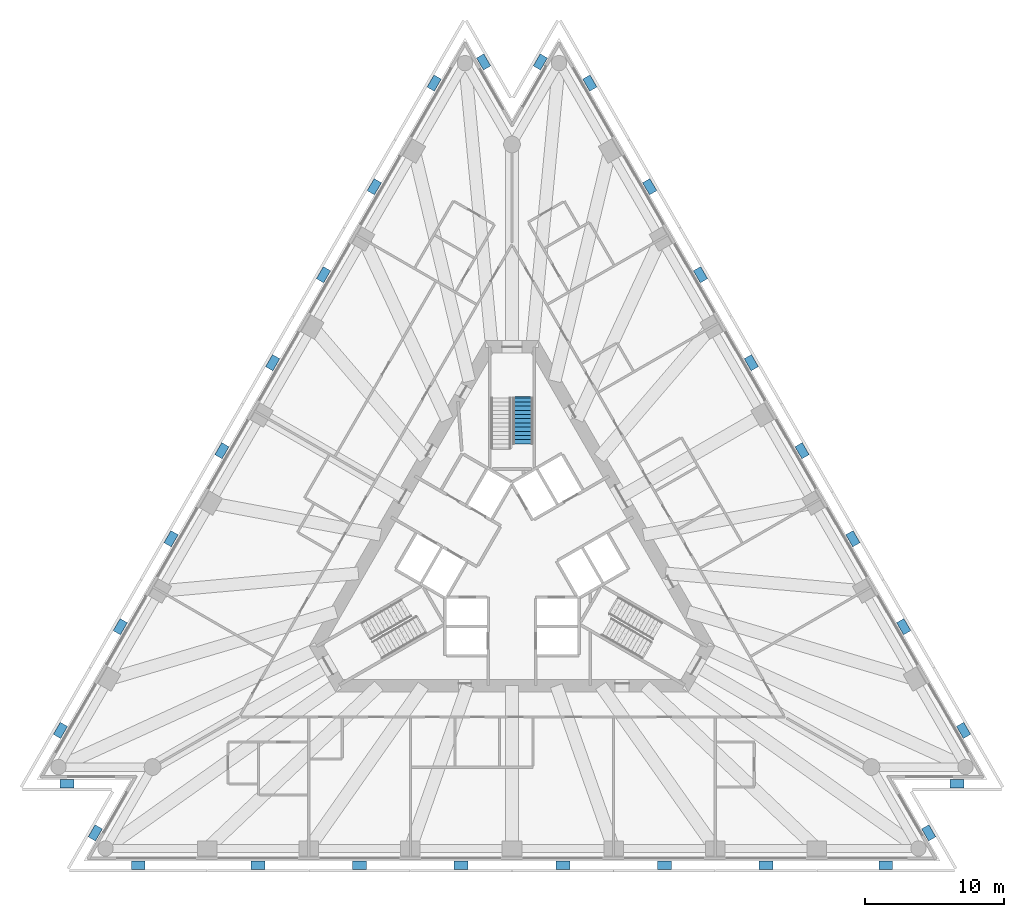
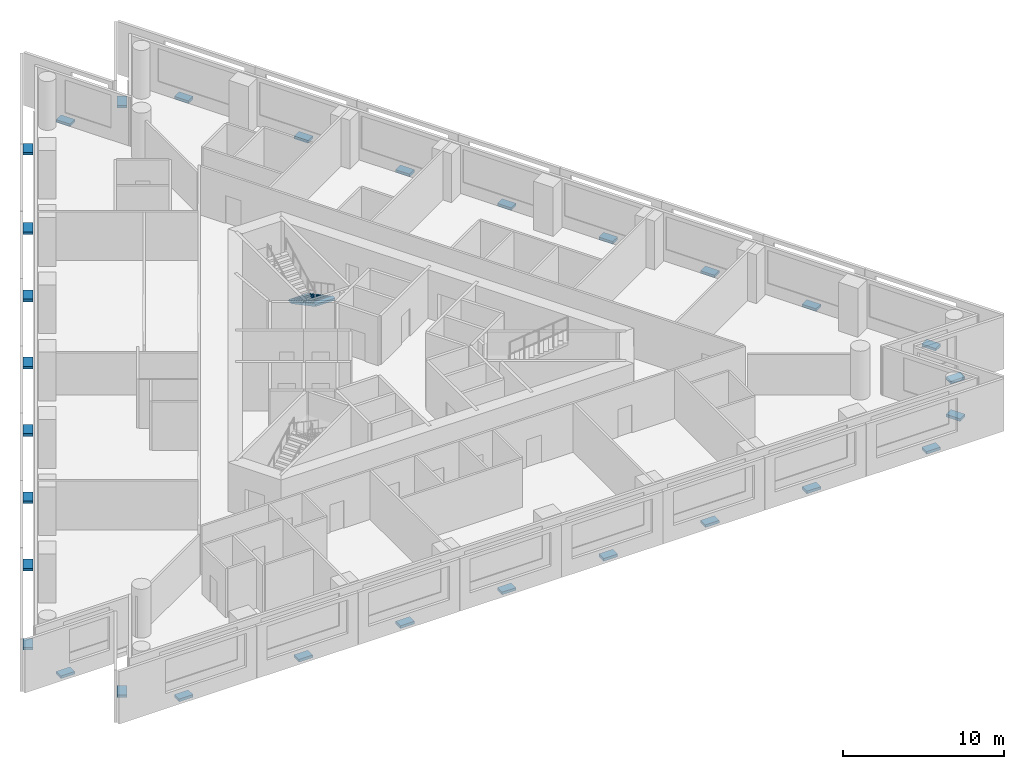
# One storey, part 9 of 11: 30 discrete accessories, 1 stair flight, 1 element without a shape of its own.
"""IFC4 building model written with IfcOpenShell, lengths in metres."""

from ifc_helpers import new_model, si_unit, direction, frame, origin, origin_2d, place, context, subcontext, project, spatial, polyline, rectangle, outline, extrude, material, type_object, element, aggregate, save


model = new_model("IFC4")

# Units and contexts
model_context = context("Model", 3, precision=1e-05, world=origin(), true_north=direction((0.0, 1.0)))
body_context = subcontext(model_context, "Body", "Model", "MODEL_VIEW")
ifc_project = project(units=[si_unit("LENGTHUNIT", "METRE"), si_unit("AREAUNIT", "SQUARE_METRE"), si_unit("VOLUMEUNIT", "CUBIC_METRE"), si_unit("PLANEANGLEUNIT", "RADIAN"), si_unit("MASSUNIT", "GRAM", prefix="KILO")], contexts=[model_context])

# Site, building, storey
site_placement = place(None, origin())
site = spatial("IfcSite", under=ifc_project, at=site_placement, CompositionType="ELEMENT")
building_placement = place(site_placement, origin())
building = spatial("IfcBuilding", under=site, at=building_placement, Name="Triada Interchange Tower", CompositionType="ELEMENT")
storey_placement = place(building_placement, frame((0.0, 0.0, 75.300048828125)))
storey = spatial("IfcBuildingStorey", under=building, at=storey_placement, Name="L16", CompositionType="ELEMENT", Elevation=75.300048828125)

# Stair, stair flight
ifc_material_1 = material(Name="Concrete C35/45", Category="concrete")
stair_type = type_object("IfcStairType", Name="HALF TURN STAIR 1400", PredefinedType="HALF_TURN_STAIR", material=ifc_material_1)
stair_placement = place(storey_placement, origin())
stair = element("IfcStair", 1, at=stair_placement, inside=storey, type_object=stair_type, Name="Exit stair S15-1", PredefinedType="HALF_TURN_STAIR")
stair_flight_type = type_object("IfcStairFlightType", Name="STRAIGHT STAIR FLIGHT 1400", PredefinedType="STRAIGHT", material=ifc_material_1)
stair_flight_placement = place(storey_placement, frame((0.800048828125, 11.60009765625, 0.0), z_axis=(0.0, 0.0, 1.0), x_axis=(0.0, -1.0, 0.0)))
stair_flight = element("IfcStairFlight", 2, at=stair_flight_placement, type_object=stair_flight_type, Name="S15-1 flight 1", NumberOfRisers=12, NumberOfTreads=11, PredefinedType="STRAIGHT", RiserHeight=0.16, TreadLength=0.3, context=body_context, shape_type="SweptSolid", body=[
    extrude(outline(polyline([(-0.10009765625, 0.0), (-0.10009765625, 0.02001953125), (0.0, 0.02001953125), (0.0, 0.159912109375), (0.300048828125, 0.159912109375), (0.300048828125, 0.320068359375), (0.60009765625, 0.320068359375), (0.60009765625, 0.47998046875), (0.89990234375, 0.47998046875), (0.89990234375, 0.639892578125), (1.199951171875, 0.639892578125), (1.199951171875, 0.800048828125), (1.5, 0.800048828125), (1.5, 0.9599609375), (1.800048828125, 0.9599609375), (1.800048828125, 1.1201171875), (2.10009765625, 1.1201171875), (2.10009765625, 1.280029296875), (2.39990234375, 1.280029296875), (2.39990234375, 1.43994140625), (2.699951171875, 1.43994140625), (2.699951171875, 1.60009765625), (3.0, 1.60009765625), (3.0, 1.760009765625), (3.300048828125, 1.760009765625), (3.303955078125, 1.760009765625), (3.303955078125, 1.919921875), (3.303955078125, 1.590087890625), (0.318603515625, 0.0), (-0.10009765625, 0.0)])), frame((0.0, 0.699951171875, 0.0), z_axis=(0.0, -1.0, 0.0), x_axis=(1.0, 0.0, 0.0)), (0.0, 0.0, 1.0), 0.46533203125),
    extrude(outline(polyline([(-0.10009765625, 0.0), (-0.10009765625, 0.02001953125), (0.0, 0.02001953125), (0.0, 0.159912109375), (0.300048828125, 0.159912109375), (0.300048828125, 0.320068359375), (0.60009765625, 0.320068359375), (0.60009765625, 0.47998046875), (0.89990234375, 0.47998046875), (0.89990234375, 0.639892578125), (1.199951171875, 0.639892578125), (1.199951171875, 0.800048828125), (1.5, 0.800048828125), (1.5, 0.9599609375), (1.800048828125, 0.9599609375), (1.800048828125, 1.1201171875), (2.10009765625, 1.1201171875), (2.10009765625, 1.280029296875), (2.39990234375, 1.280029296875), (2.39990234375, 1.43994140625), (2.699951171875, 1.43994140625), (2.699951171875, 1.60009765625), (3.0, 1.60009765625), (3.0, 1.760009765625), (3.300048828125, 1.760009765625), (3.303955078125, 1.760009765625), (3.303955078125, 1.919921875), (3.303955078125, 1.590087890625), (0.318603515625, 0.0), (-0.10009765625, 0.0)])), frame((0.0, 0.232666015625, 0.0), z_axis=(0.0, -1.0, 0.0), x_axis=(1.0, 0.0, 0.0)), (0.0, 0.0, 1.0), 0.46533203125),
    extrude(outline(polyline([(-0.10009765625, 0.0), (-0.10009765625, 0.02001953125), (0.0, 0.02001953125), (0.0, 0.159912109375), (0.300048828125, 0.159912109375), (0.300048828125, 0.320068359375), (0.60009765625, 0.320068359375), (0.60009765625, 0.47998046875), (0.89990234375, 0.47998046875), (0.89990234375, 0.639892578125), (1.199951171875, 0.639892578125), (1.199951171875, 0.800048828125), (1.5, 0.800048828125), (1.5, 0.9599609375), (1.800048828125, 0.9599609375), (1.800048828125, 1.1201171875), (2.10009765625, 1.1201171875), (2.10009765625, 1.280029296875), (2.39990234375, 1.280029296875), (2.39990234375, 1.43994140625), (2.699951171875, 1.43994140625), (2.699951171875, 1.60009765625), (3.0, 1.60009765625), (3.0, 1.760009765625), (3.300048828125, 1.760009765625), (3.303955078125, 1.760009765625), (3.303955078125, 1.919921875), (3.303955078125, 1.590087890625), (0.318603515625, 0.0), (-0.10009765625, 0.0)])), frame((0.0, -0.234619140625, 0.0), z_axis=(0.0, -1.0, 0.0), x_axis=(1.0, 0.0, 0.0)), (0.0, 0.0, 1.0), 0.46533203125),
])
aggregate(stair, [stair_flight])

# Discrete accessories
ifc_material_2 = material(Name="Steel S355", Category="steel")
discrete_accessory_type = type_object("IfcDiscreteAccessoryType", Name="Steel bracket outer skin", PredefinedType="BRACKET", material=ifc_material_2)
for number, where, z_axis, x_axis, name in (
    (3, (-5.5830078125, 34.175048828125, -0.27001953125), (0.0, 0.0, 1.0), (-0.866027245101, 0.499996810733, 0.0), "Bracket L16 01"),
    (4, (-9.8759765625, 26.739013671875, -0.27001953125), (0.0, 0.0, 1.0), (-0.866027245101, 0.499996810733, 0.0), "Bracket L16 02"),
    (5, (-13.52001953125, 20.427978515625, -0.27001953125), (0.0, 0.0, 1.0), (-0.866027245101, 0.499996810733, 0.0), "Bracket L16 03"),
    (6, (-17.1630859375, 14.116943359375, -0.27001953125), (0.0, 0.0, 1.0), (-0.866027245101, 0.499996810733, 0.0), "Bracket L16 04"),
    (7, (-20.806884765625, 7.804931640625, -0.27001953125), (0.0, 0.0, 1.0), (-0.866027245101, 0.499996810733, 0.0), "Bracket L16 05"),
    (8, (-24.450927734375, 1.493896484375, -0.27001953125), (0.0, 0.0, 1.0), (-0.866027245101, 0.499996810733, 0.0), "Bracket L16 06"),
    (9, (-28.094970703125, -4.81689453125, -0.27001953125), (0.0, 0.0, 1.0), (-0.866027245101, 0.499996810733, 0.0), "Bracket L16 07"),
    (10, (-32.387939453125, -12.2529296875, -0.27001953125), (0.0, 0.0, 1.0), (-0.866027245101, 0.499996810733, 0.0), "Bracket L16 08"),
    (11, (-31.922119140625, -16.083984375, -0.27001953125), (0.0, 0.0, 1.0), (0.0, -1.0, 0.0), "Bracket L16 09"),
    (12, (-29.889892578125, -19.60302734375, -0.27001953125), (0.0, 0.0, 1.0), (-0.866062070823, 0.499936485448, 0.0), "Bracket L16 10"),
    (13, (-26.804931640625, -21.922119140625, -0.27001953125), (0.0, 0.0, 1.0), (0.0, -1.0, 0.0), "Bracket L16 11"),
    (14, (-18.218994140625, -21.922119140625, -0.27001953125), (0.0, 0.0, 1.0), (0.0, -1.0, 0.0), "Bracket L16 12"),
    (15, (-10.930908203125, -21.922119140625, -0.27001953125), (0.0, 0.0, 1.0), (0.0, -1.0, 0.0), "Bracket L16 13"),
    (16, (-3.64404296875, -21.922119140625, -0.27001953125), (0.0, 0.0, 1.0), (0.0, -1.0, 0.0), "Bracket L16 14"),
    (17, (3.64404296875, -21.922119140625, -0.27001953125), (0.0, 0.0, 1.0), (0.0, -1.0, 0.0), "Bracket L16 15"),
    (18, (10.930908203125, -21.922119140625, -0.27001953125), (0.0, 0.0, 1.0), (0.0, -1.0, 0.0), "Bracket L16 16"),
    (19, (18.218994140625, -21.922119140625, -0.27001953125), (0.0, 0.0, 1.0), (0.0, -1.0, 0.0), "Bracket L16 17"),
    (20, (26.804931640625, -21.922119140625, -0.27001953125), (0.0, 0.0, 1.0), (0.0, -1.0, 0.0), "Bracket L16 18"),
    (21, (29.889892578125, -19.60302734375, -0.27001953125), (0.0, 0.0, 1.0), (0.866062070823, 0.499936485448, 0.0), "Bracket L16 19"),
    (22, (31.922119140625, -16.083984375, -0.27001953125), (0.0, 0.0, 1.0), (0.0, -1.0, 0.0), "Bracket L16 20"),
    (23, (32.387939453125, -12.2529296875, -0.27001953125), (0.0, 0.0, 1.0), (0.866027245101, 0.499996810733, 0.0), "Bracket L16 21"),
    (24, (28.094970703125, -4.81689453125, -0.27001953125), (0.0, 0.0, 1.0), (0.866027245101, 0.499996810733, 0.0), "Bracket L16 22"),
    (25, (24.450927734375, 1.493896484375, -0.27001953125), (0.0, 0.0, 1.0), (0.866027245101, 0.499996810733, 0.0), "Bracket L16 23"),
    (26, (20.806884765625, 7.804931640625, -0.27001953125), (0.0, 0.0, 1.0), (0.866027245101, 0.499996810733, 0.0), "Bracket L16 24"),
    (27, (17.1630859375, 14.116943359375, -0.27001953125), (0.0, 0.0, 1.0), (0.866027245101, 0.499996810733, 0.0), "Bracket L16 25"),
    (28, (13.52001953125, 20.427978515625, -0.27001953125), (0.0, 0.0, 1.0), (0.866027245101, 0.499996810733, 0.0), "Bracket L16 26"),
    (29, (9.8759765625, 26.739013671875, -0.27001953125), (0.0, 0.0, 1.0), (0.866027245101, 0.499996810733, 0.0), "Bracket L16 27"),
    (30, (5.5830078125, 34.175048828125, -0.27001953125), (0.0, 0.0, 1.0), (0.866027245101, 0.499996810733, 0.0), "Bracket L16 28"),
    (31, (2.031982421875, 35.68701171875, -0.27001953125), (0.0, 0.0, 1.0), (-0.865997834993, 0.500047747508, 0.0), "Bracket L16 29"),
    (32, (-2.031982421875, 35.68701171875, -0.27001953125), (0.0, 0.0, 1.0), (0.865997834993, 0.500047747508, 0.0), "Bracket L16 30"),
):
    element("IfcDiscreteAccessory", number, at=place(storey_placement, frame(where, z_axis=z_axis, x_axis=x_axis)), inside=storey, type_object=discrete_accessory_type, Name=name, PredefinedType="BRACKET", context=body_context, shape_type="SweptSolid", body=[
        extrude(rectangle(XDim=0.60009765625, YDim=1.0, at=origin_2d()), origin(), (0.0, 0.0, 1.0), 0.199951171875),
    ])

save(model, "model.ifc")
